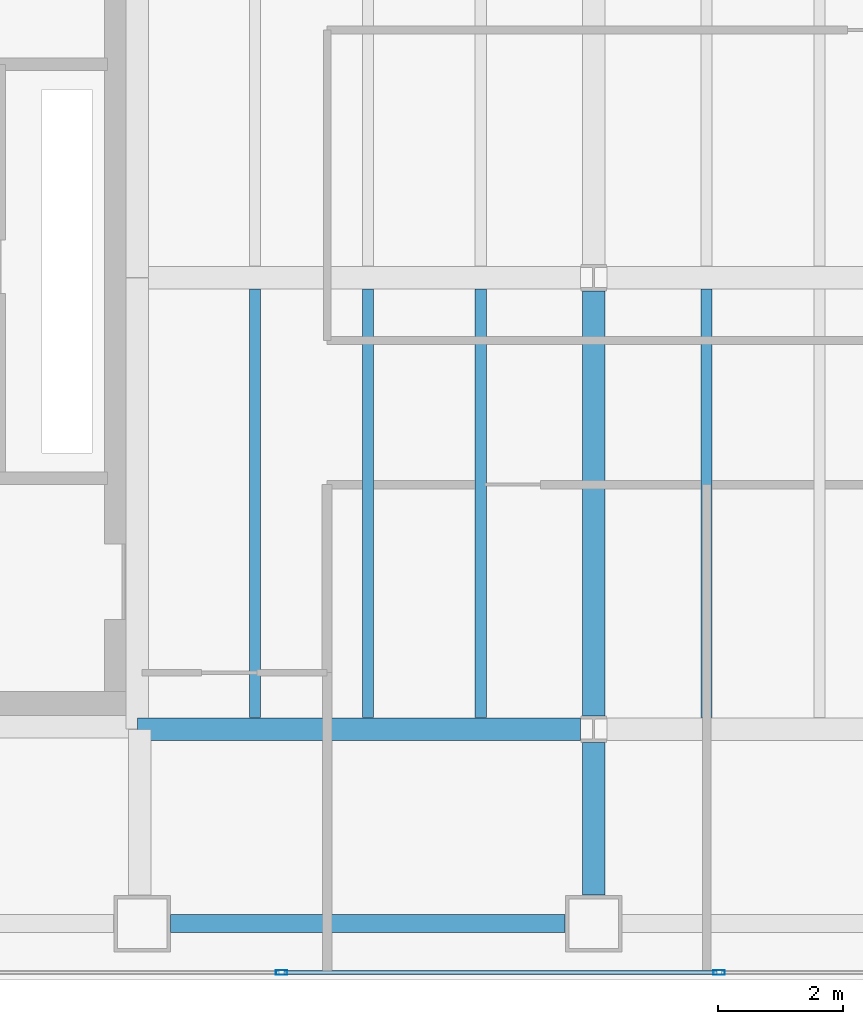
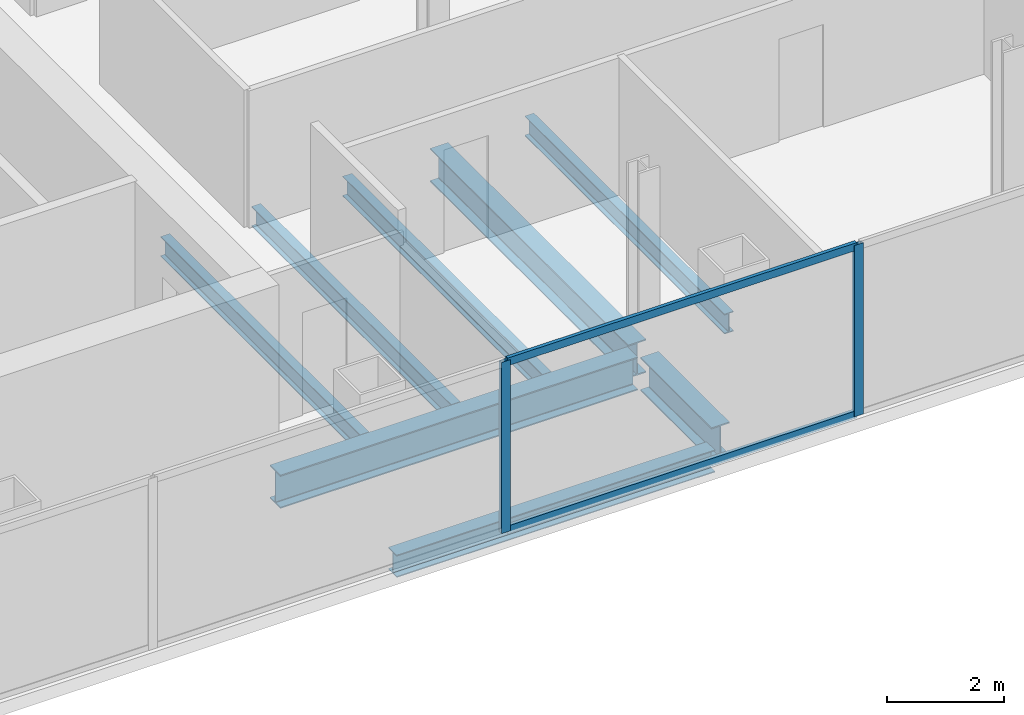
# One storey, part 4 of 24: 8 beams, 4 members, 1 element without a shape of its own.
"""IFC4 building model written with IfcOpenShell, lengths in metres."""

from ifc_helpers import new_model, si_unit, direction, frame, origin, origin_2d, place, context, subcontext, project, spatial, hollow_rectangle, i_section, extrude, material, material_profile, profile_set, type_object, element, aggregate, save


model = new_model("IFC4")

# Units and contexts
model_context = context("Model", 3, precision=1e-05, world=origin(), true_north=direction((0.0, 1.0)))
body_context = subcontext(model_context, "Body", "Model", "MODEL_VIEW")
ifc_project = project(units=[si_unit("LENGTHUNIT", "METRE"), si_unit("AREAUNIT", "SQUARE_METRE"), si_unit("VOLUMEUNIT", "CUBIC_METRE"), si_unit("PLANEANGLEUNIT", "RADIAN"), si_unit("MASSUNIT", "GRAM", prefix="KILO")], contexts=[model_context])

# Site, building, storey
site_placement = place(None, origin())
site = spatial("IfcSite", under=ifc_project, at=site_placement, CompositionType="ELEMENT")
building_placement = place(site_placement, origin())
building = spatial("IfcBuilding", under=site, at=building_placement, Name="Cobrela Telecom Tower", CompositionType="ELEMENT")
storey_placement = place(building_placement, frame((0.0, 0.0, 136.85009765625)))
storey = spatial("IfcBuildingStorey", under=building, at=storey_placement, Name="L34", CompositionType="ELEMENT", Elevation=136.85009765625)

# Beams
ifc_material_1 = material(Name="Steel ASTM A992 Grade 50", Category="steel")
ifc_material_profile_1 = material_profile(ifc_material_1, i_section(OverallWidth=0.35595703125, OverallDepth=0.696044921875, WebThickness=0.015380859375, FlangeThickness=0.024658203125, FilletRadius=0.01806640625, at=origin_2d()), Name="W27X146")
ifc_profile_set_1 = profile_set([ifc_material_profile_1], Name="Steel ASTM A992 Grade 50")
beam_type_1 = type_object("IfcBeamType", Name="BM-GIRD-05", PredefinedType="USERDEFINED", material=ifc_profile_set_1)
beam_1_placement = place(storey_placement, frame((14.324951171875, 7.199951171875, -0.6181640625), z_axis=(1.0, 0.0, 0.0), x_axis=(0.0, 1.0, 0.0)))
element("IfcBeam", 1, at=beam_1_placement, inside=storey, type_object=beam_type_1, Name="L34 Primary Girder X08", ObjectType="GIRDER", PredefinedType="USERDEFINED", context=body_context, shape_type="SweptSolid", body=[
    extrude(i_section(OverallWidth=0.35595703125, OverallDepth=0.696044921875, WebThickness=0.015380859375, FlangeThickness=0.024658203125, FilletRadius=0.01806640625, at=origin_2d()), origin(), (0.0, 0.0, 1.0), 7.0654296875),
])
beam_2_placement = place(storey_placement, frame((21.60009765625, 4.554931640625, -0.6181640625), z_axis=(0.0, 1.0, 0.0), x_axis=(-1.0, 0.0, 0.0)))
element("IfcBeam", 2, at=beam_2_placement, inside=storey, type_object=beam_type_1, Name="L34 Primary Girder Y39", ObjectType="GIRDER", PredefinedType="USERDEFINED", context=body_context, shape_type="SweptSolid", body=[
    extrude(i_section(OverallWidth=0.35595703125, OverallDepth=0.696044921875, WebThickness=0.015380859375, FlangeThickness=0.024658203125, FilletRadius=0.01806640625, at=origin_2d()), origin(), (0.0, 0.0, 1.0), 2.435546875),
])
beam_3_placement = place(storey_placement, frame((21.60009765625, 7.409423828125, -0.6181640625), z_axis=(0.0, 1.0, 0.0), x_axis=(-1.0, 0.0, 0.0)))
element("IfcBeam", 3, at=beam_3_placement, inside=storey, type_object=beam_type_1, Name="L34 Primary Girder Y40", ObjectType="GIRDER", PredefinedType="USERDEFINED", context=body_context, shape_type="SweptSolid", body=[
    extrude(i_section(OverallWidth=0.35595703125, OverallDepth=0.696044921875, WebThickness=0.015380859375, FlangeThickness=0.024658203125, FilletRadius=0.01806640625, at=origin_2d()), origin(), (0.0, 0.0, 1.0), 6.781005859375),
])
ifc_material_profile_2 = material_profile(ifc_material_1, i_section(OverallWidth=0.179931640625, OverallDepth=0.4169921875, WebThickness=0.010986328125, FlangeThickness=0.01806640625, FilletRadius=0.011962890625, at=origin_2d()), Name="W16X57")
ifc_profile_set_2 = profile_set([ifc_material_profile_2], Name="Steel ASTM A992 Grade 50")
beam_type_2 = type_object("IfcBeamType", Name="BM-JOIST-04", PredefinedType="JOIST", material=ifc_profile_set_2)
for number, where, z_axis, x_axis, name in (
    (4, (16.199951171875, 7.383056640625, -0.478515625), (0.0, 1.0, 0.0), (-1.0, 0.0, 0.0), "L34 Secondary Composite Floor Beam J04"),
    (5, (18.0, 7.383056640625, -0.478515625), (0.0, 1.0, 0.0), (-1.0, 0.0, 0.0), "L34 Secondary Composite Floor Beam J09"),
    (6, (19.800048828125, 7.383056640625, -0.478515625), (0.0, 1.0, 0.0), (-1.0, 0.0, 0.0), "L34 Secondary Composite Floor Beam J14"),
    (7, (23.39990234375, 7.383056640625, -0.478515625), (0.0, 1.0, 0.0), (-1.0, 0.0, 0.0), "L34 Secondary Composite Floor Beam J19"),
):
    element("IfcBeam", number, at=place(storey_placement, frame(where, z_axis=z_axis, x_axis=x_axis)), inside=storey, type_object=beam_type_2, Name=name, PredefinedType="JOIST", context=body_context, shape_type="SweptSolid", body=[
        extrude(i_section(OverallWidth=0.179931640625, OverallDepth=0.4169921875, WebThickness=0.010986328125, FlangeThickness=0.01806640625, FilletRadius=0.011962890625, at=origin_2d()), origin(), (0.0, 0.0, 1.0), 6.833984375),
    ])
ifc_material_profile_3 = material_profile(ifc_material_1, i_section(OverallWidth=0.281982421875, OverallDepth=0.467041015625, WebThickness=0.01220703125, FlangeThickness=0.01953125, FilletRadius=0.012939453125, at=origin_2d()), Name="W18X86")
ifc_profile_set_3 = profile_set([ifc_material_profile_3], Name="Steel ASTM A992 Grade 50")
beam_type_3 = type_object("IfcBeamType", Name="BM-SPAND-04", PredefinedType="SPANDREL", material=ifc_profile_set_3)
beam_4_placement = place(storey_placement, frame((14.85498046875, 4.10009765625, -0.503662109375), z_axis=(1.0, 0.0, 0.0), x_axis=(0.0, 1.0, 0.0)))
element("IfcBeam", 8, at=beam_4_placement, inside=storey, type_object=beam_type_3, Name="L34 Perimeter Spandrel X02", PredefinedType="SPANDREL", context=body_context, shape_type="SweptSolid", body=[
    extrude(i_section(OverallWidth=0.281982421875, OverallDepth=0.467041015625, WebThickness=0.01220703125, FlangeThickness=0.01953125, FilletRadius=0.012939453125, at=origin_2d()), origin(), (0.0, 0.0, 1.0), 6.2900390625),
])

# Curtain wall, members
ifc_material_2 = material(Name="Anodized Bronze Aluminium 6063-T6", Category="aluminium")
curtain_wall_type = type_object("IfcCurtainWallType", Name="CW-SYS-TEL", PredefinedType="USERDEFINED", material=ifc_material_2)
curtain_wall_placement = place(storey_placement, origin())
curtain_wall = element("IfcCurtainWall", 9, at=curtain_wall_placement, inside=storey, type_object=curtain_wall_type, Name="L34 Unitised Bronze Curtain Wall 17", ObjectType="UNITISED CURTAIN WALL", PredefinedType="USERDEFINED")
ifc_material_profile_4 = material_profile(ifc_material_2, hollow_rectangle(XDim=0.074951171875, YDim=0.179931640625, WallThickness=0.00390625, at=origin_2d()), Name="ALU 75x180x4")
ifc_profile_set_4 = profile_set([ifc_material_profile_4], Name="Anodized Bronze Aluminium 6063-T6")
member_type_1 = type_object("IfcMemberType", Name="CW-SYS-TEL-MUL", PredefinedType="MULLION", material=ifc_profile_set_4)
member_1_placement = place(storey_placement, frame((23.60009765625, 3.320068359375, 0.0), z_axis=(0.0, 0.0, 1.0), x_axis=(0.0, -1.0, 0.0)))
member_1 = element("IfcMember", 10, at=member_1_placement, type_object=member_type_1, Name="CW-TEL mullion 4", PredefinedType="MULLION", context=body_context, shape_type="SweptSolid", body=[
    extrude(hollow_rectangle(XDim=0.074951171875, YDim=0.179931640625, WallThickness=0.00390625, at=origin_2d()), origin(), (0.0, 0.0, 1.0), 3.579833984375),
])
member_2_placement = place(storey_placement, frame((16.623291015625, 3.320068359375, 0.0), z_axis=(0.0, 0.0, 1.0), x_axis=(0.0, -1.0, 0.0)))
member_2 = element("IfcMember", 11, at=member_2_placement, type_object=member_type_1, Name="CW-TEL mullion 5", PredefinedType="MULLION", context=body_context, shape_type="SweptSolid", body=[
    extrude(hollow_rectangle(XDim=0.074951171875, YDim=0.179931640625, WallThickness=0.00390625, at=origin_2d()), origin(), (0.0, 0.0, 1.0), 3.579833984375),
])
ifc_material_profile_5 = material_profile(ifc_material_2, hollow_rectangle(XDim=0.070068359375, YDim=0.159912109375, WallThickness=0.00390625, at=origin_2d()), Name="ALU 70x160x4")
ifc_profile_set_5 = profile_set([ifc_material_profile_5], Name="Anodized Bronze Aluminium 6063-T6")
member_type_2 = type_object("IfcMemberType", Name="CW-SYS-TEL-TRN", PredefinedType="USERDEFINED", material=ifc_profile_set_5)
member_3_placement = place(storey_placement, frame((23.5625, 3.320068359375, 0.034912109375), z_axis=(-1.0, 0.0, 0.0), x_axis=(0.0, -1.0, 0.0)))
member_3 = element("IfcMember", 12, at=member_3_placement, type_object=member_type_2, Name="CW-TEL transom 4.1", ObjectType="TRANSOM", PredefinedType="USERDEFINED", context=body_context, shape_type="SweptSolid", body=[
    extrude(hollow_rectangle(XDim=0.070068359375, YDim=0.159912109375, WallThickness=0.00390625, at=origin_2d()), origin(), (0.0, 0.0, 1.0), 6.901611328125),
])
member_4_placement = place(storey_placement, frame((23.5625, 3.320068359375, 3.544921875), z_axis=(-1.0, 0.0, 0.0), x_axis=(0.0, -1.0, 0.0)))
member_4 = element("IfcMember", 13, at=member_4_placement, type_object=member_type_2, Name="CW-TEL transom 4.2", ObjectType="TRANSOM", PredefinedType="USERDEFINED", context=body_context, shape_type="SweptSolid", body=[
    extrude(hollow_rectangle(XDim=0.070068359375, YDim=0.159912109375, WallThickness=0.00390625, at=origin_2d()), origin(), (0.0, 0.0, 1.0), 6.901611328125),
])
aggregate(curtain_wall, [member_1, member_2, member_3, member_4])

save(model, "model.ifc")
